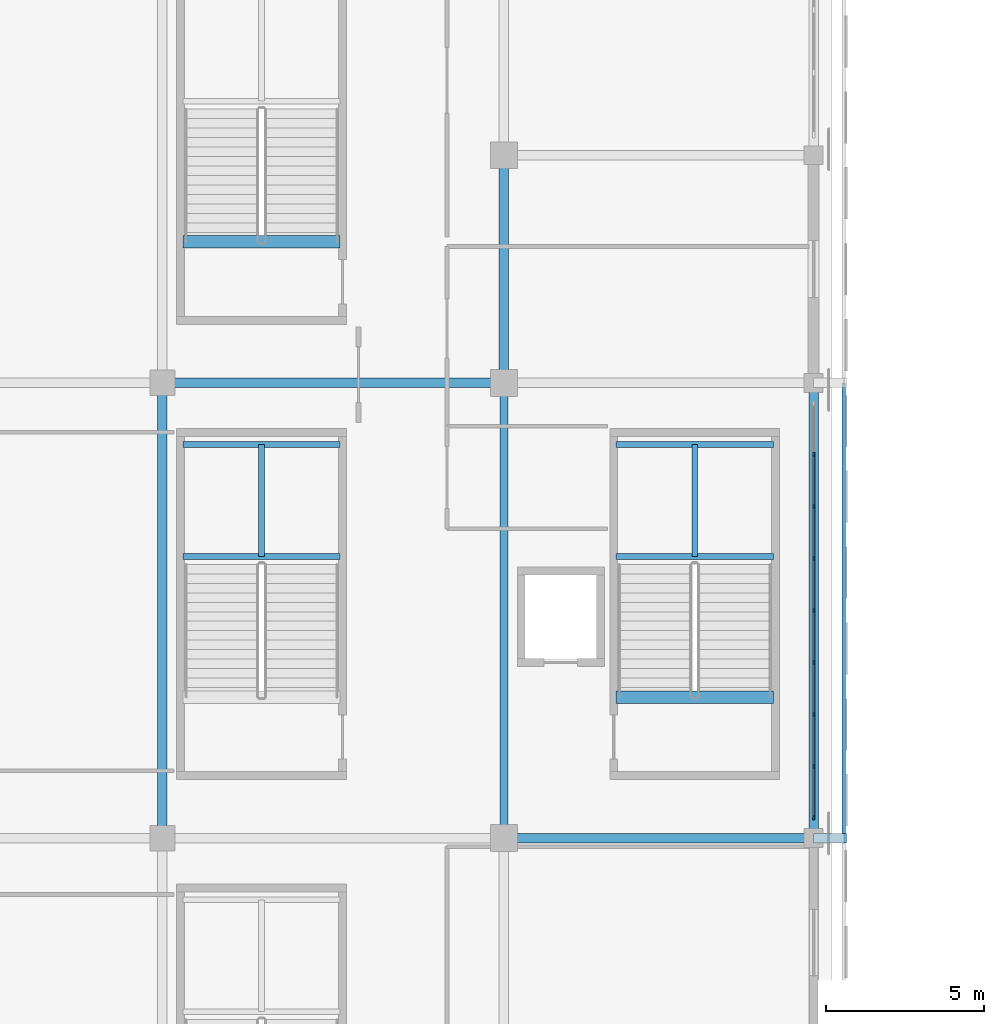
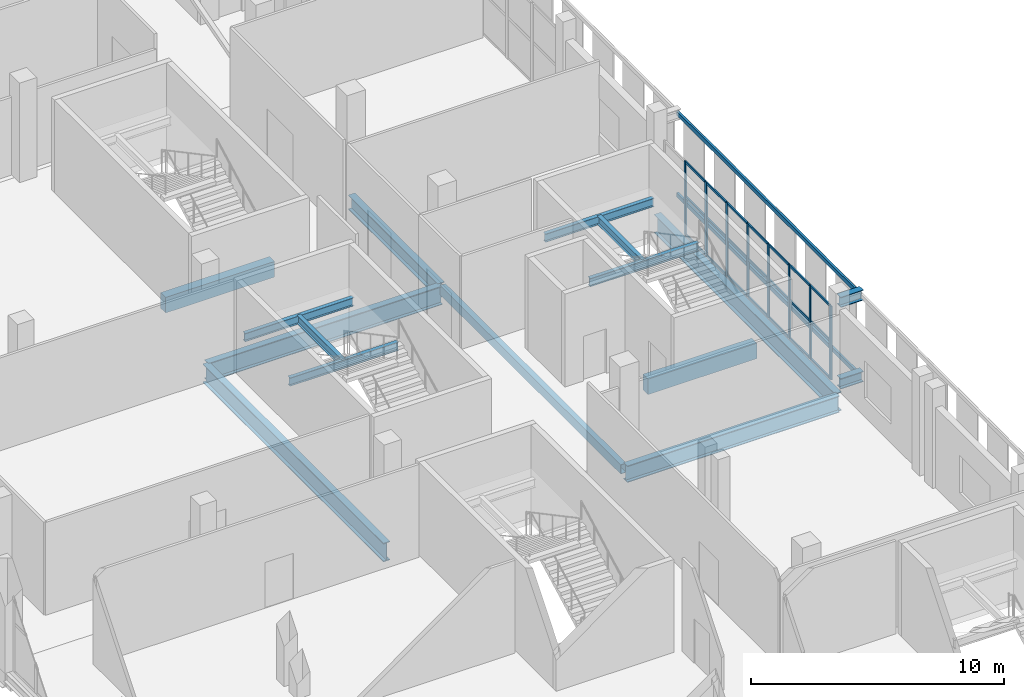
# One storey, part 57 of 142: 31 members, 16 beams, 1 element without a shape of its own.
"""IFC4 building model written with IfcOpenShell, lengths in metres."""

from ifc_helpers import new_model, si_unit, direction, frame, origin, origin_2d, place, context, subcontext, project, spatial, rectangle, hollow_rectangle, i_section, extrude, material, material_profile, profile_set, type_object, element, aggregate, save


model = new_model("IFC4")

# Units and contexts
model_context = context("Model", 3, precision=1e-05, world=origin(), true_north=direction((0.0, 1.0)))
body_context = subcontext(model_context, "Body", "Model", "MODEL_VIEW")
ifc_project = project(units=[si_unit("LENGTHUNIT", "METRE"), si_unit("AREAUNIT", "SQUARE_METRE"), si_unit("VOLUMEUNIT", "CUBIC_METRE"), si_unit("PLANEANGLEUNIT", "RADIAN"), si_unit("MASSUNIT", "GRAM", prefix="KILO")], contexts=[model_context])

# Site, building, storey
site_placement = place(None, origin())
site = spatial("IfcSite", under=ifc_project, at=site_placement, CompositionType="ELEMENT")
building_placement = place(site_placement, origin())
building = spatial("IfcBuilding", under=site, at=building_placement, Name="Koshinbarg Plaza Stadium", CompositionType="ELEMENT")
storey_placement = place(building_placement, frame((0.0, 0.0, 10.199951171875)))
storey = spatial("IfcBuildingStorey", under=building, at=storey_placement, Name="L02", CompositionType="ELEMENT", Elevation=10.199951171875)

# Beams
ifc_material_1 = material(Name="Steel S355", Category="steel")
ifc_material_profile_1 = material_profile(ifc_material_1, i_section(OverallWidth=0.300048828125, OverallDepth=0.5, WebThickness=0.014404296875, FlangeThickness=0.028076171875, at=origin_2d()), Name="HEB 500")
ifc_profile_set_1 = profile_set([ifc_material_profile_1], Name="Steel S355")
beam_type_1 = type_object("IfcBeamType", Name="BM-CANOPY-CANT", PredefinedType="BEAM", material=ifc_profile_set_1)
for number, where, z_axis, x_axis, name in (
    (1, (218.39990234375, 83.10009765625, 0.25), (1.0, 0.0, 0.0), (0.0, 1.0, 0.0), "Outer screen cantilever outrigger E-L02-Y05"),
    (2, (218.39990234375, 83.10009765625, 4.179931640625), (1.0, 0.0, 0.0), (0.0, 1.0, 0.0), "Outer screen cantilever outrigger E-L02-Y05"),
):
    element("IfcBeam", number, at=place(storey_placement, frame(where, z_axis=z_axis, x_axis=x_axis)), inside=storey, type_object=beam_type_1, Name=name, PredefinedType="BEAM", context=body_context, shape_type="SweptSolid", body=[
        extrude(i_section(OverallWidth=0.300048828125, OverallDepth=0.5, WebThickness=0.014404296875, FlangeThickness=0.028076171875, at=origin_2d()), origin(), (0.0, 0.0, 1.0), 1.030029296875),
    ])
ifc_material_2 = material(Name="Concrete C40/50", Category="concrete")
ifc_material_profile_2 = material_profile(ifc_material_2, rectangle(XDim=0.39990234375, YDim=0.75, at=origin_2d()), Name="RC 400x750")
ifc_profile_set_2 = profile_set([ifc_material_profile_2], Name="Concrete C40/50")
beam_type_2 = type_object("IfcBeamType", Name="BM-RCG-03", PredefinedType="USERDEFINED", material=ifc_profile_set_2)
beam_1_placement = place(storey_placement, frame((212.14990234375, 87.56005859375, -0.375), z_axis=(1.0, 0.0, 0.0), x_axis=(0.0, 1.0, 0.0)))
element("IfcBeam", 3, at=beam_1_placement, inside=storey, type_object=beam_type_2, Name="L02 stair landing header beam C09", ObjectType="GIRDER", PredefinedType="USERDEFINED", context=body_context, shape_type="SweptSolid", body=[
    extrude(rectangle(XDim=0.39990234375, YDim=0.75, at=origin_2d()), origin(), (0.0, 0.0, 1.0), 4.97021484375),
])
beam_2_placement = place(storey_placement, frame((198.449951171875, 101.9599609375, -0.375), z_axis=(1.0, 0.0, 0.0), x_axis=(0.0, 1.0, 0.0)))
element("IfcBeam", 4, at=beam_2_placement, inside=storey, type_object=beam_type_2, Name="L02 stair landing header beam VX12", ObjectType="GIRDER", PredefinedType="USERDEFINED", context=body_context, shape_type="SweptSolid", body=[
    extrude(rectangle(XDim=0.39990234375, YDim=0.75, at=origin_2d()), origin(), (0.0, 0.0, 1.0), 4.969970703125),
])
ifc_material_profile_3 = material_profile(ifc_material_1, i_section(OverallWidth=0.179931640625, OverallDepth=0.39990234375, WebThickness=0.008544921875, FlangeThickness=0.013427734375, at=origin_2d()), Name="IPE 400")
ifc_profile_set_3 = profile_set([ifc_material_profile_3], Name="Steel S355")
beam_type_3 = type_object("IfcBeamType", Name="BM-SBM-01", PredefinedType="BEAM", material=ifc_profile_set_3)
for number, where, z_axis, x_axis, name in (
    (5, (212.14990234375, 92.010009765625, 1.880126953125), (1.0, 0.0, 0.0), (0.0, 1.0, 0.0), "L02 Protected Exit Stair C09 landing trimmer beam 1"),
    (6, (212.14990234375, 95.550048828125, 1.880126953125), (1.0, 0.0, 0.0), (0.0, 1.0, 0.0), "L02 Protected Exit Stair C09 landing trimmer beam 2"),
):
    element("IfcBeam", number, at=place(storey_placement, frame(where, z_axis=z_axis, x_axis=x_axis)), inside=storey, type_object=beam_type_3, Name=name, PredefinedType="BEAM", context=body_context, shape_type="SweptSolid", body=[
        extrude(i_section(OverallWidth=0.179931640625, OverallDepth=0.39990234375, WebThickness=0.008544921875, FlangeThickness=0.013427734375, at=origin_2d()), origin(), (0.0, 0.0, 1.0), 4.97021484375),
    ])
beam_3_placement = place(storey_placement, frame((214.635009765625, 92.010009765625, 1.880126953125), z_axis=(0.0, 1.0, 0.0), x_axis=(-1.0, 0.0, 0.0)))
element("IfcBeam", 7, at=beam_3_placement, inside=storey, type_object=beam_type_3, Name="L02 Protected Exit Stair C09 landing trimmer beam 3", PredefinedType="BEAM", context=body_context, shape_type="SweptSolid", body=[
    extrude(i_section(OverallWidth=0.179931640625, OverallDepth=0.39990234375, WebThickness=0.008544921875, FlangeThickness=0.013427734375, at=origin_2d()), origin(), (0.0, 0.0, 1.0), 3.5400390625),
])
for number, where, z_axis, x_axis, name in (
    (8, (198.449951171875, 92.010009765625, 1.880126953125), (1.0, 0.0, 0.0), (0.0, 1.0, 0.0), "L02 Upper Vomitory Stair VX11 landing trimmer beam 1"),
    (9, (198.449951171875, 95.550048828125, 1.880126953125), (1.0, 0.0, 0.0), (0.0, 1.0, 0.0), "L02 Upper Vomitory Stair VX11 landing trimmer beam 2"),
):
    element("IfcBeam", number, at=place(storey_placement, frame(where, z_axis=z_axis, x_axis=x_axis)), inside=storey, type_object=beam_type_3, Name=name, PredefinedType="BEAM", context=body_context, shape_type="SweptSolid", body=[
        extrude(i_section(OverallWidth=0.179931640625, OverallDepth=0.39990234375, WebThickness=0.008544921875, FlangeThickness=0.013427734375, at=origin_2d()), origin(), (0.0, 0.0, 1.0), 4.969970703125),
    ])
beam_4_placement = place(storey_placement, frame((200.93505859375, 92.010009765625, 1.880126953125), z_axis=(0.0, 1.0, 0.0), x_axis=(-1.0, 0.0, 0.0)))
element("IfcBeam", 10, at=beam_4_placement, inside=storey, type_object=beam_type_3, Name="L02 Upper Vomitory Stair VX11 landing trimmer beam 3", PredefinedType="BEAM", context=body_context, shape_type="SweptSolid", body=[
    extrude(i_section(OverallWidth=0.179931640625, OverallDepth=0.39990234375, WebThickness=0.008544921875, FlangeThickness=0.013427734375, at=origin_2d()), origin(), (0.0, 0.0, 1.0), 3.5400390625),
])
ifc_material_profile_4 = material_profile(ifc_material_1, i_section(OverallWidth=0.300048828125, OverallDepth=0.699951171875, WebThickness=0.01708984375, FlangeThickness=0.031982421875, at=origin_2d()), Name="HEB 700")
ifc_profile_set_4 = profile_set([ifc_material_profile_4], Name="Steel S355")
beam_type_4 = type_object("IfcBeamType", Name="BM-SGIR-03", PredefinedType="USERDEFINED", material=ifc_profile_set_4)
beam_5_placement = place(storey_placement, frame((208.60009765625, 97.56005859375, -0.64990234375), z_axis=(0.0, 1.0, 0.0), x_axis=(-1.0, 0.0, 0.0)))
element("IfcBeam", 11, at=beam_5_placement, inside=storey, type_object=beam_type_4, Name="L02 Y girder 20/N-P", ObjectType="GIRDER", PredefinedType="USERDEFINED", context=body_context, shape_type="SweptSolid", body=[
    extrude(i_section(OverallWidth=0.300048828125, OverallDepth=0.699951171875, WebThickness=0.01708984375, FlangeThickness=0.031982421875, at=origin_2d()), origin(), (0.0, 0.0, 1.0), 7.079833984375),
])
ifc_material_profile_5 = material_profile(ifc_material_1, i_section(OverallWidth=0.300048828125, OverallDepth=0.800048828125, WebThickness=0.017578125, FlangeThickness=0.032958984375, at=origin_2d()), Name="HEB 800")
ifc_profile_set_5 = profile_set([ifc_material_profile_5], Name="Steel S355")
beam_type_5 = type_object("IfcBeamType", Name="BM-SGIR-04", PredefinedType="USERDEFINED", material=ifc_profile_set_5)
beam_6_placement = place(storey_placement, frame((208.659912109375, 83.10009765625, -0.699951171875), z_axis=(1.0, 0.0, 0.0), x_axis=(0.0, 1.0, 0.0)))
element("IfcBeam", 12, at=beam_6_placement, inside=storey, type_object=beam_type_5, Name="L02 X girder M/20-21", ObjectType="GIRDER", PredefinedType="USERDEFINED", context=body_context, shape_type="SweptSolid", body=[
    extrude(i_section(OverallWidth=0.300048828125, OverallDepth=0.800048828125, WebThickness=0.017578125, FlangeThickness=0.032958984375, at=origin_2d()), origin(), (0.0, 0.0, 1.0), 9.68017578125),
])
ifc_material_profile_6 = material_profile(ifc_material_1, i_section(OverallWidth=0.300048828125, OverallDepth=0.89990234375, WebThickness=0.0185546875, FlangeThickness=0.034912109375, at=origin_2d()), Name="HEB 900")
ifc_profile_set_6 = profile_set([ifc_material_profile_6], Name="Steel S355")
beam_type_6 = type_object("IfcBeamType", Name="BM-SGIR-05", PredefinedType="USERDEFINED", material=ifc_profile_set_6)
beam_7_placement = place(storey_placement, frame((197.860107421875, 97.5, -0.75), z_axis=(1.0, 0.0, 0.0), x_axis=(0.0, 1.0, 0.0)))
element("IfcBeam", 13, at=beam_7_placement, inside=storey, type_object=beam_type_6, Name="L02 X girder N/19-20", ObjectType="GIRDER", PredefinedType="USERDEFINED", context=body_context, shape_type="SweptSolid", body=[
    extrude(i_section(OverallWidth=0.300048828125, OverallDepth=0.89990234375, WebThickness=0.0185546875, FlangeThickness=0.034912109375, at=origin_2d()), origin(), (0.0, 0.0, 1.0), 10.679931640625),
])
for number, where, z_axis, x_axis, name in (
    (14, (197.800048828125, 83.159912109375, -0.75), (0.0, 1.0, 0.0), (-1.0, 0.0, 0.0), "L02 Y girder 19/M-N"),
    (15, (218.39990234375, 83.159912109375, -0.75), (0.0, 1.0, 0.0), (-1.0, 0.0, 0.0), "L02 Y girder 21/M-N"),
):
    element("IfcBeam", number, at=place(storey_placement, frame(where, z_axis=z_axis, x_axis=x_axis)), inside=storey, type_object=beam_type_6, Name=name, ObjectType="GIRDER", PredefinedType="USERDEFINED", context=body_context, shape_type="SweptSolid", body=[
        extrude(i_section(OverallWidth=0.300048828125, OverallDepth=0.89990234375, WebThickness=0.0185546875, FlangeThickness=0.034912109375, at=origin_2d()), origin(), (0.0, 0.0, 1.0), 14.280029296875),
    ])
ifc_material_profile_7 = material_profile(ifc_material_1, hollow_rectangle(XDim=0.25, YDim=0.449951171875, WallThickness=0.01611328125, at=origin_2d()), Name="RHS 450x250x16")
ifc_profile_set_7 = profile_set([ifc_material_profile_7], Name="Steel S355")
beam_type_7 = type_object("IfcBeamType", Name="BM-SGIR-06", PredefinedType="USERDEFINED", material=ifc_profile_set_7)
beam_8_placement = place(storey_placement, frame((208.60009765625, 83.159912109375, -0.52490234375), z_axis=(0.0, 1.0, 0.0), x_axis=(-1.0, 0.0, 0.0)))
element("IfcBeam", 16, at=beam_8_placement, inside=storey, type_object=beam_type_7, Name="L02 Y girder 20/M-N", ObjectType="GIRDER", PredefinedType="USERDEFINED", context=body_context, shape_type="SweptSolid", body=[
    extrude(hollow_rectangle(XDim=0.25, YDim=0.449951171875, WallThickness=0.01611328125, at=origin_2d()), origin(), (0.0, 0.0, 1.0), 14.280029296875),
])

# Curtain wall, members
ifc_material_3 = material(Name="Thermally broken anodised aluminium and low-E double glazing", Category="aluminium")
curtain_wall_type = type_object("IfcCurtainWallType", Name="CW-SYS-09", PredefinedType="NOTDEFINED", material=ifc_material_3)
curtain_wall_placement = place(storey_placement, origin())
curtain_wall = element("IfcCurtainWall", 17, at=curtain_wall_placement, inside=storey, type_object=curtain_wall_type, Name="L02 unitised curtain wall CW-L02-056", PredefinedType="NOTDEFINED")
ifc_material_4 = material(Name="Anodised aluminium mullion", Category="aluminium")
ifc_material_profile_8 = material_profile(ifc_material_4, rectangle(XDim=0.06005859375, YDim=0.139892578125, at=origin_2d()), Name="ALU 60x140")
ifc_profile_set_8 = profile_set([ifc_material_profile_8], Name="Anodised aluminium mullion")
member_type_1 = type_object("IfcMemberType", Name="CW-MUL-01", PredefinedType="MULLION", material=ifc_profile_set_8)
member_1_placement = place(storey_placement, frame((218.39990234375, 95.235107421875, 0.0), z_axis=(0.0, 0.0, 1.0), x_axis=(1.0, 0.0, 0.0)))
member_1 = element("IfcMember", 18, at=member_1_placement, type_object=member_type_1, Name="CW09 mullion 2", PredefinedType="MULLION", context=body_context, shape_type="SweptSolid", body=[
    extrude(rectangle(XDim=0.06005859375, YDim=0.139892578125, at=origin_2d()), origin(), (0.0, 0.0, 1.0), 3.56005859375),
])
member_2_placement = place(storey_placement, frame((218.39990234375, 93.590087890625, 0.0), z_axis=(0.0, 0.0, 1.0), x_axis=(1.0, 0.0, 0.0)))
member_2 = element("IfcMember", 19, at=member_2_placement, type_object=member_type_1, Name="CW09 mullion 3", PredefinedType="MULLION", context=body_context, shape_type="SweptSolid", body=[
    extrude(rectangle(XDim=0.06005859375, YDim=0.139892578125, at=origin_2d()), origin(), (0.0, 0.0, 1.0), 3.56005859375),
])
member_3_placement = place(storey_placement, frame((218.39990234375, 91.945068359375, 0.0), z_axis=(0.0, 0.0, 1.0), x_axis=(1.0, 0.0, 0.0)))
member_3 = element("IfcMember", 20, at=member_3_placement, type_object=member_type_1, Name="CW09 mullion 4", PredefinedType="MULLION", context=body_context, shape_type="SweptSolid", body=[
    extrude(rectangle(XDim=0.06005859375, YDim=0.139892578125, at=origin_2d()), origin(), (0.0, 0.0, 1.0), 3.56005859375),
])
member_4_placement = place(storey_placement, frame((218.39990234375, 90.300048828125, 0.0), z_axis=(0.0, 0.0, 1.0), x_axis=(1.0, 0.0, 0.0)))
member_4 = element("IfcMember", 21, at=member_4_placement, type_object=member_type_1, Name="CW09 mullion 5", PredefinedType="MULLION", context=body_context, shape_type="SweptSolid", body=[
    extrude(rectangle(XDim=0.06005859375, YDim=0.139892578125, at=origin_2d()), origin(), (0.0, 0.0, 1.0), 3.56005859375),
])
member_5_placement = place(storey_placement, frame((218.39990234375, 88.655029296875, 0.0), z_axis=(0.0, 0.0, 1.0), x_axis=(1.0, 0.0, 0.0)))
member_5 = element("IfcMember", 22, at=member_5_placement, type_object=member_type_1, Name="CW09 mullion 6", PredefinedType="MULLION", context=body_context, shape_type="SweptSolid", body=[
    extrude(rectangle(XDim=0.06005859375, YDim=0.139892578125, at=origin_2d()), origin(), (0.0, 0.0, 1.0), 3.56005859375),
])
member_6_placement = place(storey_placement, frame((218.39990234375, 87.010009765625, 0.0), z_axis=(0.0, 0.0, 1.0), x_axis=(1.0, 0.0, 0.0)))
member_6 = element("IfcMember", 23, at=member_6_placement, type_object=member_type_1, Name="CW09 mullion 7", PredefinedType="MULLION", context=body_context, shape_type="SweptSolid", body=[
    extrude(rectangle(XDim=0.06005859375, YDim=0.139892578125, at=origin_2d()), origin(), (0.0, 0.0, 1.0), 3.56005859375),
])
member_7_placement = place(storey_placement, frame((218.39990234375, 85.364990234375, 0.0), z_axis=(0.0, 0.0, 1.0), x_axis=(1.0, 0.0, 0.0)))
member_7 = element("IfcMember", 24, at=member_7_placement, type_object=member_type_1, Name="CW09 mullion 8", PredefinedType="MULLION", context=body_context, shape_type="SweptSolid", body=[
    extrude(rectangle(XDim=0.06005859375, YDim=0.139892578125, at=origin_2d()), origin(), (0.0, 0.0, 1.0), 3.56005859375),
])
member_8_placement = place(storey_placement, frame((218.39990234375, 83.75, 0.0), z_axis=(0.0, 0.0, 1.0), x_axis=(1.0, 0.0, 0.0)))
member_8 = element("IfcMember", 25, at=member_8_placement, type_object=member_type_1, Name="CW09 mullion 9", PredefinedType="MULLION", context=body_context, shape_type="SweptSolid", body=[
    extrude(rectangle(XDim=0.06005859375, YDim=0.139892578125, at=origin_2d()), origin(), (0.0, 0.0, 1.0), 3.56005859375),
])
ifc_material_5 = material(Name="Anodised aluminium transom", Category="aluminium")
ifc_material_profile_9 = material_profile(ifc_material_5, rectangle(XDim=0.06005859375, YDim=0.110107421875, at=origin_2d()), Name="ALU 60x110")
ifc_profile_set_9 = profile_set([ifc_material_profile_9], Name="Anodised aluminium transom")
member_type_2 = type_object("IfcMemberType", Name="CW-TRN-01", PredefinedType="USERDEFINED", material=ifc_profile_set_9)
member_9_placement = place(storey_placement, frame((218.39990234375, 95.205078125, 0.030029296875), z_axis=(0.0, -1.0, 0.0), x_axis=(1.0, 0.0, 0.0)))
member_9 = element("IfcMember", 26, at=member_9_placement, type_object=member_type_2, Name="CW09 transom 2.1", ObjectType="TRANSOM", PredefinedType="USERDEFINED", context=body_context, shape_type="SweptSolid", body=[
    extrude(rectangle(XDim=0.06005859375, YDim=0.110107421875, at=origin_2d()), origin(), (0.0, 0.0, 1.0), 1.5849609375),
])
member_10_placement = place(storey_placement, frame((218.39990234375, 95.205078125, 1.851318359375), z_axis=(0.0, -1.0, 0.0), x_axis=(1.0, 0.0, 0.0)))
member_10 = element("IfcMember", 27, at=member_10_placement, type_object=member_type_2, Name="CW09 transom 2.2", ObjectType="TRANSOM", PredefinedType="USERDEFINED", context=body_context, shape_type="SweptSolid", body=[
    extrude(rectangle(XDim=0.06005859375, YDim=0.110107421875, at=origin_2d()), origin(), (0.0, 0.0, 1.0), 1.5849609375),
])
member_11_placement = place(storey_placement, frame((218.39990234375, 95.205078125, 3.530029296875), z_axis=(0.0, -1.0, 0.0), x_axis=(1.0, 0.0, 0.0)))
member_11 = element("IfcMember", 28, at=member_11_placement, type_object=member_type_2, Name="CW09 transom 2.3", ObjectType="TRANSOM", PredefinedType="USERDEFINED", context=body_context, shape_type="SweptSolid", body=[
    extrude(rectangle(XDim=0.06005859375, YDim=0.110107421875, at=origin_2d()), origin(), (0.0, 0.0, 1.0), 1.5849609375),
])
member_12_placement = place(storey_placement, frame((218.39990234375, 93.56005859375, 0.030029296875), z_axis=(0.0, -1.0, 0.0), x_axis=(1.0, 0.0, 0.0)))
member_12 = element("IfcMember", 29, at=member_12_placement, type_object=member_type_2, Name="CW09 transom 3.1", ObjectType="TRANSOM", PredefinedType="USERDEFINED", context=body_context, shape_type="SweptSolid", body=[
    extrude(rectangle(XDim=0.06005859375, YDim=0.110107421875, at=origin_2d()), origin(), (0.0, 0.0, 1.0), 1.5849609375),
])
member_13_placement = place(storey_placement, frame((218.39990234375, 93.56005859375, 1.851318359375), z_axis=(0.0, -1.0, 0.0), x_axis=(1.0, 0.0, 0.0)))
member_13 = element("IfcMember", 30, at=member_13_placement, type_object=member_type_2, Name="CW09 transom 3.2", ObjectType="TRANSOM", PredefinedType="USERDEFINED", context=body_context, shape_type="SweptSolid", body=[
    extrude(rectangle(XDim=0.06005859375, YDim=0.110107421875, at=origin_2d()), origin(), (0.0, 0.0, 1.0), 1.5849609375),
])
member_14_placement = place(storey_placement, frame((218.39990234375, 93.56005859375, 3.530029296875), z_axis=(0.0, -1.0, 0.0), x_axis=(1.0, 0.0, 0.0)))
member_14 = element("IfcMember", 31, at=member_14_placement, type_object=member_type_2, Name="CW09 transom 3.3", ObjectType="TRANSOM", PredefinedType="USERDEFINED", context=body_context, shape_type="SweptSolid", body=[
    extrude(rectangle(XDim=0.06005859375, YDim=0.110107421875, at=origin_2d()), origin(), (0.0, 0.0, 1.0), 1.5849609375),
])
member_15_placement = place(storey_placement, frame((218.39990234375, 91.9150390625, 0.030029296875), z_axis=(0.0, -1.0, 0.0), x_axis=(1.0, 0.0, 0.0)))
member_15 = element("IfcMember", 32, at=member_15_placement, type_object=member_type_2, Name="CW09 transom 4.1", ObjectType="TRANSOM", PredefinedType="USERDEFINED", context=body_context, shape_type="SweptSolid", body=[
    extrude(rectangle(XDim=0.06005859375, YDim=0.110107421875, at=origin_2d()), origin(), (0.0, 0.0, 1.0), 1.5849609375),
])
member_16_placement = place(storey_placement, frame((218.39990234375, 91.9150390625, 1.851318359375), z_axis=(0.0, -1.0, 0.0), x_axis=(1.0, 0.0, 0.0)))
member_16 = element("IfcMember", 33, at=member_16_placement, type_object=member_type_2, Name="CW09 transom 4.2", ObjectType="TRANSOM", PredefinedType="USERDEFINED", context=body_context, shape_type="SweptSolid", body=[
    extrude(rectangle(XDim=0.06005859375, YDim=0.110107421875, at=origin_2d()), origin(), (0.0, 0.0, 1.0), 1.5849609375),
])
member_17_placement = place(storey_placement, frame((218.39990234375, 91.9150390625, 3.530029296875), z_axis=(0.0, -1.0, 0.0), x_axis=(1.0, 0.0, 0.0)))
member_17 = element("IfcMember", 34, at=member_17_placement, type_object=member_type_2, Name="CW09 transom 4.3", ObjectType="TRANSOM", PredefinedType="USERDEFINED", context=body_context, shape_type="SweptSolid", body=[
    extrude(rectangle(XDim=0.06005859375, YDim=0.110107421875, at=origin_2d()), origin(), (0.0, 0.0, 1.0), 1.5849609375),
])
member_18_placement = place(storey_placement, frame((218.39990234375, 90.27001953125, 0.030029296875), z_axis=(0.0, -1.0, 0.0), x_axis=(1.0, 0.0, 0.0)))
member_18 = element("IfcMember", 35, at=member_18_placement, type_object=member_type_2, Name="CW09 transom 5.1", ObjectType="TRANSOM", PredefinedType="USERDEFINED", context=body_context, shape_type="SweptSolid", body=[
    extrude(rectangle(XDim=0.06005859375, YDim=0.110107421875, at=origin_2d()), origin(), (0.0, 0.0, 1.0), 1.5849609375),
])
member_19_placement = place(storey_placement, frame((218.39990234375, 90.27001953125, 1.851318359375), z_axis=(0.0, -1.0, 0.0), x_axis=(1.0, 0.0, 0.0)))
member_19 = element("IfcMember", 36, at=member_19_placement, type_object=member_type_2, Name="CW09 transom 5.2", ObjectType="TRANSOM", PredefinedType="USERDEFINED", context=body_context, shape_type="SweptSolid", body=[
    extrude(rectangle(XDim=0.06005859375, YDim=0.110107421875, at=origin_2d()), origin(), (0.0, 0.0, 1.0), 1.5849609375),
])
member_20_placement = place(storey_placement, frame((218.39990234375, 90.27001953125, 3.530029296875), z_axis=(0.0, -1.0, 0.0), x_axis=(1.0, 0.0, 0.0)))
member_20 = element("IfcMember", 37, at=member_20_placement, type_object=member_type_2, Name="CW09 transom 5.3", ObjectType="TRANSOM", PredefinedType="USERDEFINED", context=body_context, shape_type="SweptSolid", body=[
    extrude(rectangle(XDim=0.06005859375, YDim=0.110107421875, at=origin_2d()), origin(), (0.0, 0.0, 1.0), 1.5849609375),
])
member_21_placement = place(storey_placement, frame((218.39990234375, 88.625, 0.030029296875), z_axis=(0.0, -1.0, 0.0), x_axis=(1.0, 0.0, 0.0)))
member_21 = element("IfcMember", 38, at=member_21_placement, type_object=member_type_2, Name="CW09 transom 6.1", ObjectType="TRANSOM", PredefinedType="USERDEFINED", context=body_context, shape_type="SweptSolid", body=[
    extrude(rectangle(XDim=0.06005859375, YDim=0.110107421875, at=origin_2d()), origin(), (0.0, 0.0, 1.0), 1.5849609375),
])
member_22_placement = place(storey_placement, frame((218.39990234375, 88.625, 1.851318359375), z_axis=(0.0, -1.0, 0.0), x_axis=(1.0, 0.0, 0.0)))
member_22 = element("IfcMember", 39, at=member_22_placement, type_object=member_type_2, Name="CW09 transom 6.2", ObjectType="TRANSOM", PredefinedType="USERDEFINED", context=body_context, shape_type="SweptSolid", body=[
    extrude(rectangle(XDim=0.06005859375, YDim=0.110107421875, at=origin_2d()), origin(), (0.0, 0.0, 1.0), 1.5849609375),
])
member_23_placement = place(storey_placement, frame((218.39990234375, 88.625, 3.530029296875), z_axis=(0.0, -1.0, 0.0), x_axis=(1.0, 0.0, 0.0)))
member_23 = element("IfcMember", 40, at=member_23_placement, type_object=member_type_2, Name="CW09 transom 6.3", ObjectType="TRANSOM", PredefinedType="USERDEFINED", context=body_context, shape_type="SweptSolid", body=[
    extrude(rectangle(XDim=0.06005859375, YDim=0.110107421875, at=origin_2d()), origin(), (0.0, 0.0, 1.0), 1.5849609375),
])
member_24_placement = place(storey_placement, frame((218.39990234375, 86.97998046875, 0.030029296875), z_axis=(0.0, -1.0, 0.0), x_axis=(1.0, 0.0, 0.0)))
member_24 = element("IfcMember", 41, at=member_24_placement, type_object=member_type_2, Name="CW09 transom 7.1", ObjectType="TRANSOM", PredefinedType="USERDEFINED", context=body_context, shape_type="SweptSolid", body=[
    extrude(rectangle(XDim=0.06005859375, YDim=0.110107421875, at=origin_2d()), origin(), (0.0, 0.0, 1.0), 1.5849609375),
])
member_25_placement = place(storey_placement, frame((218.39990234375, 86.97998046875, 1.851318359375), z_axis=(0.0, -1.0, 0.0), x_axis=(1.0, 0.0, 0.0)))
member_25 = element("IfcMember", 42, at=member_25_placement, type_object=member_type_2, Name="CW09 transom 7.2", ObjectType="TRANSOM", PredefinedType="USERDEFINED", context=body_context, shape_type="SweptSolid", body=[
    extrude(rectangle(XDim=0.06005859375, YDim=0.110107421875, at=origin_2d()), origin(), (0.0, 0.0, 1.0), 1.5849609375),
])
member_26_placement = place(storey_placement, frame((218.39990234375, 86.97998046875, 3.530029296875), z_axis=(0.0, -1.0, 0.0), x_axis=(1.0, 0.0, 0.0)))
member_26 = element("IfcMember", 43, at=member_26_placement, type_object=member_type_2, Name="CW09 transom 7.3", ObjectType="TRANSOM", PredefinedType="USERDEFINED", context=body_context, shape_type="SweptSolid", body=[
    extrude(rectangle(XDim=0.06005859375, YDim=0.110107421875, at=origin_2d()), origin(), (0.0, 0.0, 1.0), 1.5849609375),
])
member_27_placement = place(storey_placement, frame((218.39990234375, 85.3349609375, 0.030029296875), z_axis=(0.0, -1.0, 0.0), x_axis=(1.0, 0.0, 0.0)))
member_27 = element("IfcMember", 44, at=member_27_placement, type_object=member_type_2, Name="CW09 transom 8.1", ObjectType="TRANSOM", PredefinedType="USERDEFINED", context=body_context, shape_type="SweptSolid", body=[
    extrude(rectangle(XDim=0.06005859375, YDim=0.110107421875, at=origin_2d()), origin(), (0.0, 0.0, 1.0), 1.554931640625),
])
member_28_placement = place(storey_placement, frame((218.39990234375, 85.3349609375, 1.851318359375), z_axis=(0.0, -1.0, 0.0), x_axis=(1.0, 0.0, 0.0)))
member_28 = element("IfcMember", 45, at=member_28_placement, type_object=member_type_2, Name="CW09 transom 8.2", ObjectType="TRANSOM", PredefinedType="USERDEFINED", context=body_context, shape_type="SweptSolid", body=[
    extrude(rectangle(XDim=0.06005859375, YDim=0.110107421875, at=origin_2d()), origin(), (0.0, 0.0, 1.0), 1.554931640625),
])
member_29_placement = place(storey_placement, frame((218.39990234375, 85.3349609375, 3.530029296875), z_axis=(0.0, -1.0, 0.0), x_axis=(1.0, 0.0, 0.0)))
member_29 = element("IfcMember", 46, at=member_29_placement, type_object=member_type_2, Name="CW09 transom 8.3", ObjectType="TRANSOM", PredefinedType="USERDEFINED", context=body_context, shape_type="SweptSolid", body=[
    extrude(rectangle(XDim=0.06005859375, YDim=0.110107421875, at=origin_2d()), origin(), (0.0, 0.0, 1.0), 1.554931640625),
])
aggregate(curtain_wall, [member_1, member_2, member_3, member_4, member_5, member_6, member_7, member_8, member_9, member_10, member_11, member_12, member_13, member_14, member_15, member_16, member_17, member_18, member_19, member_20, member_21, member_22, member_23, member_24, member_25, member_26, member_27, member_28, member_29])

# Members
ifc_material_profile_10 = material_profile(ifc_material_1, hollow_rectangle(XDim=0.10009765625, YDim=0.199951171875, WallThickness=0.008056640625, at=origin_2d()), Name="RHS 200x100x8")
ifc_profile_set_10 = profile_set([ifc_material_profile_10], Name="Steel S355")
member_type_3 = type_object("IfcMemberType", Name="MB-PURL-03", PredefinedType="PURLIN", material=ifc_profile_set_10)
for number, where, z_axis, x_axis, name in (
    (47, (219.35009765625, 83.10009765625, 0.25), (0.0, 1.0, 0.0), (-1.0, 0.0, 0.0), "L02 outer screen subframe rail E-5-BOT"),
    (48, (219.35009765625, 83.10009765625, 4.179931640625), (0.0, 1.0, 0.0), (-1.0, 0.0, 0.0), "L02 outer screen subframe rail E-5-TOP"),
):
    element("IfcMember", number, at=place(storey_placement, frame(where, z_axis=z_axis, x_axis=x_axis)), inside=storey, type_object=member_type_3, Name=name, PredefinedType="PURLIN", context=body_context, shape_type="SweptSolid", body=[
        extrude(hollow_rectangle(XDim=0.10009765625, YDim=0.199951171875, WallThickness=0.008056640625, at=origin_2d()), origin(), (0.0, 0.0, 1.0), 14.39990234375),
    ])

save(model, "model.ifc")
